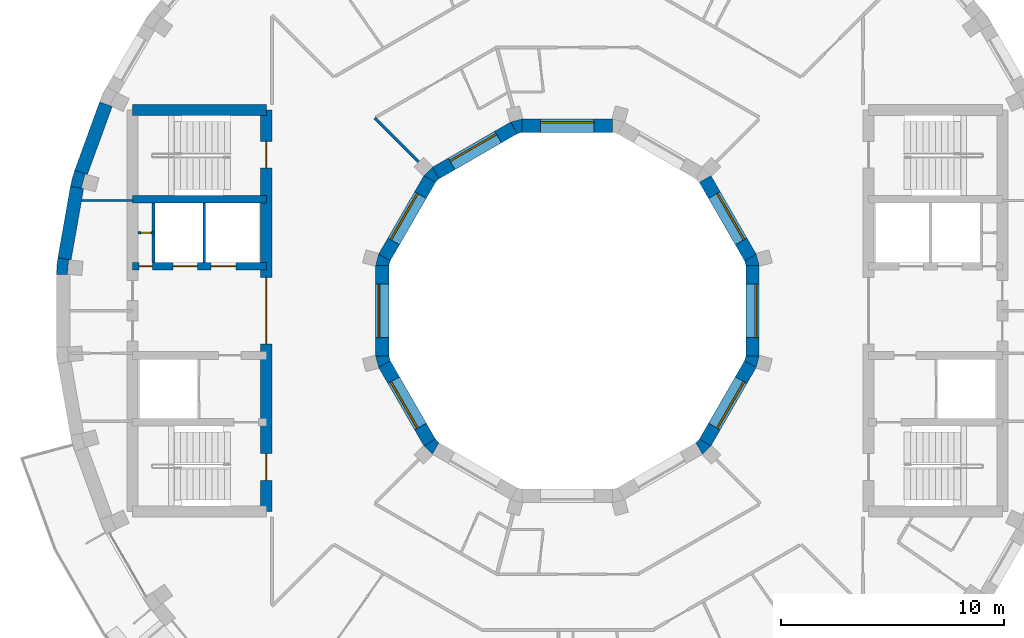
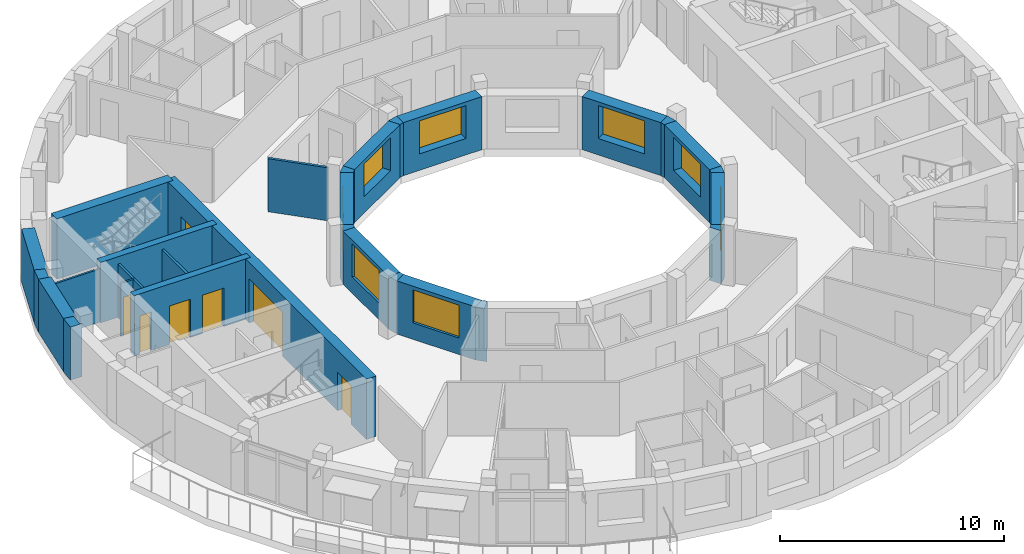
# One storey, part 6 of 12: 29 walls, 8 windows, 7 doors, 15 openings.
"""IFC4 building model written with IfcOpenShell, lengths in metres."""

from ifc_helpers import new_model, si_unit, direction, frame, frame_2d, origin, place, context, subcontext, project, spatial, polyline, rectangle, outline, extrude, material, layer, layer_set, type_object, element, fill, save


model = new_model("IFC4")

# Units and contexts
model_context = context("Model", 3, precision=1e-05, world=origin(), true_north=direction((0.0, 1.0)))
body_context = subcontext(model_context, "Body", "Model", "MODEL_VIEW")
ifc_project = project(units=[si_unit("LENGTHUNIT", "METRE"), si_unit("AREAUNIT", "SQUARE_METRE"), si_unit("VOLUMEUNIT", "CUBIC_METRE"), si_unit("PLANEANGLEUNIT", "RADIAN"), si_unit("MASSUNIT", "GRAM", prefix="KILO")], contexts=[model_context])

# Site, building, storey
site_placement = place(None, origin())
site = spatial("IfcSite", under=ifc_project, at=site_placement, CompositionType="ELEMENT")
building_placement = place(site_placement, origin())
building = spatial("IfcBuilding", under=site, at=building_placement, Name="Saqina Gate Tower", CompositionType="ELEMENT")
storey_placement = place(building_placement, frame((0.0, 0.0, 259.39990234375)))
storey = spatial("IfcBuildingStorey", under=building, at=storey_placement, Name="L74", CompositionType="ELEMENT", Elevation=259.39990234375)

# Walls
ifc_material_1 = material(Name="Brick masonry (buff)", Category="masonry")
wall_type_1 = type_object("IfcWallType", Name="BRICK PIER COPING BUFF", PredefinedType="SOLIDWALL", material=ifc_material_1)
wall_1_placement = place(storey_placement, origin())
element("IfcWall", 1, at=wall_1_placement, inside=storey, type_object=wall_type_1, Name="Pier cap L74 column 17", PredefinedType="SOLIDWALL", context=body_context, shape_type="SweptSolid", body=[
    extrude(outline(polyline([(-22.281982421875, 5.579833984375), (-21.691162109375, 5.4755859375), (-21.793212890625, 5.5029296875), (-21.625, 6.130859375), (-21.52294921875, 6.103515625), (-22.0869140625, 6.30859375), (-22.281982421875, 5.579833984375)])), origin(), (0.0, 0.0, 1.0), 2.900146484375),
])
wall_2_placement = place(storey_placement, origin())
element("IfcWall", 2, at=wall_2_placement, inside=storey, type_object=wall_type_1, Name="Pier cap L74 column 18", PredefinedType="SOLIDWALL", context=body_context, shape_type="SweptSolid", body=[
    extrude(outline(polyline([(-22.8466796875, 2.377685546875), (-22.91259765625, 1.625732421875), (-22.3125, 1.625732421875), (-22.417724609375, 1.635009765625), (-22.361083984375, 2.28271484375), (-22.255859375, 2.2734375), (-22.8466796875, 2.377685546875)])), origin(), (0.0, 0.0, 1.0), 2.900146484375),
])

# Wall, opening, door
ifc_material_2 = material(Name="Gypsum board on steel studs", Category="steel")
ifc_layer_1 = layer(ifc_material_2, 0.10009765625)
ifc_layer_set_1 = layer_set([ifc_layer_1], Name="CORE PARTITION")
wall_type_2 = type_object("IfcWallType", Name="CORE PARTITION", PredefinedType="PARTITIONING", material=ifc_layer_set_1)
wall_3_placement = place(storey_placement, frame((-18.56005859375, 3.5, 0.0), z_axis=(0.0, 0.0, 1.0), x_axis=(-1.0, 0.0, 0.0)))
wall_3 = element("IfcWall", 3, at=wall_3_placement, inside=storey, type_object=wall_type_2, Name="L74-CP-W01", PredefinedType="PARTITIONING", context=body_context, shape_type="SweptSolid", body=[
    extrude(rectangle(XDim=0.68994140625, YDim=0.10009765625, at=frame_2d((0.344970703125, 0.0))), origin(), (0.0, 0.0, 1.0), 2.900146484375),
])
opening_1_placement = place(wall_3_placement, frame((0.10009765625, 0.0, 0.0)))
opening_1 = element("IfcOpeningElement", 4, at=opening_1_placement, cuts=wall_3, Name="Opening G22-D105", PredefinedType="OPENING", context=body_context, shape_type="SweptSolid", body=[
    extrude(rectangle(XDim=0.449951171875, YDim=2.10009765625, at=frame_2d((0.22509765625, 1.050048828125))), frame((0.0, 0.06201171875, 0.0), z_axis=(0.0, -1.0, 0.0), x_axis=(1.0, 0.0, 0.0)), (0.0, 0.0, 1.0), 0.1240234375),
])
ifc_material_3 = material(Name="Steel-framed fire door leaf, EI 60", Category="steel")
door_type_1 = type_object("IfcDoorType", Name="SERVICE ROOM DOOR 450", OperationType="SINGLE_SWING_LEFT", PredefinedType="DOOR", material=ifc_material_3)
door_1_placement = place(opening_1_placement, origin())
door_1 = element("IfcDoor", 5, at=door_1_placement, inside=storey, type_object=door_type_1, Name="L74-CD-W16", OperationType="SINGLE_SWING_RIGHT", OverallHeight=2.10009765625, OverallWidth=0.449951171875, PredefinedType="DOOR", context=body_context, shape_type="SweptSolid", body=[
    extrude(rectangle(XDim=0.449951171875, YDim=2.10009765625, at=frame_2d((0.22509765625, 1.050048828125))), frame((0.0, 0.02490234375, 0.0), z_axis=(0.0, -1.0, 0.0), x_axis=(1.0, 0.0, 0.0)), (0.0, 0.0, 1.0), 0.050048828125),
])
fill(opening_1, door_1)

# Walls
wall_4_placement = place(storey_placement, frame((-19.5, 4.949951171875, 0.0), z_axis=(0.0, 0.0, 1.0), x_axis=(-1.0, 0.0, 0.0)))
element("IfcWall", 6, at=wall_4_placement, inside=storey, type_object=wall_type_2, Name="L74-CP-W02", PredefinedType="PARTITIONING", context=body_context, shape_type="SweptSolid", body=[
    extrude(rectangle(XDim=2.283935546875, YDim=0.10009765625, at=frame_2d((1.14208984375, 0.0))), origin(), (0.0, 0.0, 1.0), 2.900146484375),
])
ifc_material_4 = material(Name="Glazed ceramic tile", Category="ceramic")
ifc_layer_2 = layer(ifc_material_4, 0.60009765625)
ifc_layer_set_2 = layer_set([ifc_layer_2], Name="FW-TILE")
wall_type_3 = type_object("IfcWallType", Name="FW-TILE", PredefinedType="SOLIDWALL", material=ifc_layer_set_2)
wall_5_placement = place(storey_placement, frame((-21.986572265625, 5.52783203125, 0.0), z_axis=(0.0, 0.0, 1.0), x_axis=(-0.173656842178, -0.984806225186, 0.0)))
element("IfcWall", 7, at=wall_5_placement, inside=storey, type_object=wall_type_3, Name="Facade wall L74 facet 17", PredefinedType="SOLIDWALL", context=body_context, shape_type="SweptSolid", body=[
    extrude(rectangle(XDim=3.251708984375, YDim=0.60009765625, at=frame_2d((1.6259765625, 0.0))), origin(), (0.0, 0.0, 1.0), 2.900146484375),
])
ifc_material_5 = material(Name="Glazed ceramic tile (dark blue)", Category="ceramic")
ifc_layer_3 = layer(ifc_material_5, 0.60009765625)
ifc_layer_set_3 = layer_set([ifc_layer_3], Name="FW-TILE-CB")
wall_type_4 = type_object("IfcWallType", Name="FW-TILE-CB", PredefinedType="SOLIDWALL", material=ifc_layer_set_3)
wall_6_placement = place(storey_placement, frame((-20.692626953125, 9.26171875, 0.0), z_axis=(0.0, 0.0, 1.0), x_axis=(-0.342056509473, -0.939679383794, 0.0)))
element("IfcWall", 8, at=wall_6_placement, inside=storey, type_object=wall_type_4, Name="Facade wall L74 facet 16", PredefinedType="SOLIDWALL", context=body_context, shape_type="SweptSolid", body=[
    extrude(rectangle(XDim=3.251708984375, YDim=0.60009765625, at=frame_2d((1.6259765625, 0.0))), origin(), (0.0, 0.0, 1.0), 2.900146484375),
])

# Wall, opening, window
ifc_material_6 = material(Name="Glazed ceramic tile", Category="ceramic")
ifc_layer_4 = layer(ifc_material_6, 0.60009765625)
ifc_layer_set_4 = layer_set([ifc_layer_4], Name="IW-TILE")
wall_type_5 = type_object("IfcWallType", Name="IW-TILE", PredefinedType="SOLIDWALL", material=ifc_layer_set_4)
wall_7_placement = place(storey_placement, frame((8.20263671875, 2.392578125, 0.0), z_axis=(0.0, 0.0, 1.0), x_axis=(-0.499994954979, 0.866028316509, 0.0)))
wall_7 = element("IfcWall", 9, at=wall_7_placement, inside=storey, type_object=wall_type_5, Name="Well wall L74 facet 1", PredefinedType="SOLIDWALL", context=body_context, shape_type="SweptSolid", body=[
    extrude(rectangle(XDim=4.05859375, YDim=0.60009765625, at=frame_2d((2.029296875, 0.0))), origin(), (0.0, 0.0, 1.0), 2.900146484375),
])
opening_2_placement = place(wall_7_placement, frame((0.829345703125, 0.0, 0.89990234375)))
opening_2 = element("IfcOpeningElement", 10, at=opening_2_placement, cuts=wall_7, Name="Opening G22-W23", PredefinedType="OPENING", context=body_context, shape_type="SweptSolid", body=[
    extrude(rectangle(XDim=2.39990234375, YDim=1.800048828125, at=frame_2d((1.199951171875, 0.89990234375))), frame((0.0, 0.31201171875, 0.0), z_axis=(0.0, -1.0, 0.0), x_axis=(1.0, 0.0, 0.0)), (0.0, 0.0, 1.0), 0.6240234375),
])
ifc_material_7 = material(Name="Aluminium glazing", Category="aluminium")
window_type = type_object("IfcWindowType", Name="WN-W", PartitioningType="SINGLE_PANEL", PredefinedType="WINDOW", material=ifc_material_7)
window_1_placement = place(opening_2_placement, origin())
window_1 = element("IfcWindow", 11, at=window_1_placement, inside=storey, type_object=window_type, Name="Well window L74 facet 1", OverallHeight=1.800048828125, OverallWidth=2.39990234375, PartitioningType="SINGLE_PANEL", PredefinedType="WINDOW", context=body_context, shape_type="SweptSolid", body=[
    extrude(rectangle(XDim=2.39990234375, YDim=1.800048828125, at=frame_2d((1.199951171875, 0.89990234375))), frame((0.0, -0.119873046875, 0.0), z_axis=(0.0, -1.0, 0.0), x_axis=(1.0, 0.0, 0.0)), (0.0, 0.0, 1.0), 0.06005859375),
])
fill(opening_2, window_1)

wall_8_placement = place(storey_placement, frame((2.029296875, 8.300048828125, 0.0), z_axis=(0.0, 0.0, 1.0), x_axis=(-1.0, 0.0, 0.0)))
wall_8 = element("IfcWall", 12, at=wall_8_placement, inside=storey, type_object=wall_type_5, Name="Well wall L74 facet 3", PredefinedType="SOLIDWALL", context=body_context, shape_type="SweptSolid", body=[
    extrude(rectangle(XDim=4.05859375, YDim=0.60009765625, at=frame_2d((2.029296875, 0.0))), origin(), (0.0, 0.0, 1.0), 2.900146484375),
])
opening_3_placement = place(wall_8_placement, frame((0.829345703125, 0.0, 0.89990234375)))
opening_3 = element("IfcOpeningElement", 13, at=opening_3_placement, cuts=wall_8, Name="Opening G22-W25", PredefinedType="OPENING", context=body_context, shape_type="SweptSolid", body=[
    extrude(rectangle(XDim=2.39990234375, YDim=1.800048828125, at=frame_2d((1.199951171875, 0.89990234375))), frame((0.0, 0.31201171875, 0.0), z_axis=(0.0, -1.0, 0.0), x_axis=(1.0, 0.0, 0.0)), (0.0, 0.0, 1.0), 0.6240234375),
])
window_2_placement = place(opening_3_placement, origin())
window_2 = element("IfcWindow", 14, at=window_2_placement, inside=storey, type_object=window_type, Name="Well window L74 facet 3", OverallHeight=1.800048828125, OverallWidth=2.39990234375, PartitioningType="SINGLE_PANEL", PredefinedType="WINDOW", context=body_context, shape_type="SweptSolid", body=[
    extrude(rectangle(XDim=2.39990234375, YDim=1.800048828125, at=frame_2d((1.199951171875, 0.89990234375))), frame((0.0, -0.119873046875, 0.0), z_axis=(0.0, -1.0, 0.0), x_axis=(1.0, 0.0, 0.0)), (0.0, 0.0, 1.0), 0.06005859375),
])
fill(opening_3, window_2)

wall_9_placement = place(storey_placement, frame((-2.392578125, 8.20263671875, 0.0), z_axis=(0.0, 0.0, 1.0), x_axis=(-0.866028316509, -0.499994954979, 0.0)))
wall_9 = element("IfcWall", 15, at=wall_9_placement, inside=storey, type_object=wall_type_5, Name="Well wall L74 facet 4", PredefinedType="SOLIDWALL", context=body_context, shape_type="SweptSolid", body=[
    extrude(rectangle(XDim=4.05859375, YDim=0.60009765625, at=frame_2d((2.029296875, 0.0))), origin(), (0.0, 0.0, 1.0), 2.900146484375),
])
opening_4_placement = place(wall_9_placement, frame((0.829345703125, 0.0, 0.89990234375)))
opening_4 = element("IfcOpeningElement", 16, at=opening_4_placement, cuts=wall_9, Name="Opening G22-W26", PredefinedType="OPENING", context=body_context, shape_type="SweptSolid", body=[
    extrude(rectangle(XDim=2.39990234375, YDim=1.800048828125, at=frame_2d((1.199951171875, 0.89990234375))), frame((0.0, 0.31201171875, 0.0), z_axis=(0.0, -1.0, 0.0), x_axis=(1.0, 0.0, 0.0)), (0.0, 0.0, 1.0), 0.6240234375),
])
window_3_placement = place(opening_4_placement, origin())
window_3 = element("IfcWindow", 17, at=window_3_placement, inside=storey, type_object=window_type, Name="Well window L74 facet 4", OverallHeight=1.800048828125, OverallWidth=2.39990234375, PartitioningType="SINGLE_PANEL", PredefinedType="WINDOW", context=body_context, shape_type="SweptSolid", body=[
    extrude(rectangle(XDim=2.39990234375, YDim=1.800048828125, at=frame_2d((1.199951171875, 0.89990234375))), frame((0.0, -0.119873046875, 0.0), z_axis=(0.0, -1.0, 0.0), x_axis=(1.0, 0.0, 0.0)), (0.0, 0.0, 1.0), 0.06005859375),
])
fill(opening_4, window_3)

wall_10_placement = place(storey_placement, frame((-6.17333984375, 5.907470703125, 0.0), z_axis=(0.0, 0.0, 1.0), x_axis=(-0.499994954979, -0.866028316509, 0.0)))
wall_10 = element("IfcWall", 18, at=wall_10_placement, inside=storey, type_object=wall_type_5, Name="Well wall L74 facet 5", PredefinedType="SOLIDWALL", context=body_context, shape_type="SweptSolid", body=[
    extrude(rectangle(XDim=4.05859375, YDim=0.60009765625, at=frame_2d((2.029296875, 0.0))), origin(), (0.0, 0.0, 1.0), 2.900146484375),
])
opening_5_placement = place(wall_10_placement, frame((0.829345703125, 0.0, 0.89990234375)))
opening_5 = element("IfcOpeningElement", 19, at=opening_5_placement, cuts=wall_10, Name="Opening G22-W27", PredefinedType="OPENING", context=body_context, shape_type="SweptSolid", body=[
    extrude(rectangle(XDim=2.39990234375, YDim=1.800048828125, at=frame_2d((1.199951171875, 0.89990234375))), frame((0.0, 0.31201171875, 0.0), z_axis=(0.0, -1.0, 0.0), x_axis=(1.0, 0.0, 0.0)), (0.0, 0.0, 1.0), 0.6240234375),
])
window_4_placement = place(opening_5_placement, origin())
window_4 = element("IfcWindow", 20, at=window_4_placement, inside=storey, type_object=window_type, Name="Well window L74 facet 5", OverallHeight=1.800048828125, OverallWidth=2.39990234375, PartitioningType="SINGLE_PANEL", PredefinedType="WINDOW", context=body_context, shape_type="SweptSolid", body=[
    extrude(rectangle(XDim=2.39990234375, YDim=1.800048828125, at=frame_2d((1.199951171875, 0.89990234375))), frame((0.0, -0.119873046875, 0.0), z_axis=(0.0, -1.0, 0.0), x_axis=(1.0, 0.0, 0.0)), (0.0, 0.0, 1.0), 0.06005859375),
])
fill(opening_5, window_4)

wall_11_placement = place(storey_placement, frame((-8.300048828125, 2.029296875, 0.0), z_axis=(0.0, 0.0, 1.0), x_axis=(0.0, -1.0, 0.0)))
wall_11 = element("IfcWall", 21, at=wall_11_placement, inside=storey, type_object=wall_type_5, Name="Well wall L74 facet 6", PredefinedType="SOLIDWALL", context=body_context, shape_type="SweptSolid", body=[
    extrude(rectangle(XDim=4.05859375, YDim=0.60009765625, at=frame_2d((2.029296875, 0.0))), origin(), (0.0, 0.0, 1.0), 2.900146484375),
])
opening_6_placement = place(wall_11_placement, frame((0.829345703125, 0.0, 0.89990234375)))
opening_6 = element("IfcOpeningElement", 22, at=opening_6_placement, cuts=wall_11, Name="Opening G22-W28", PredefinedType="OPENING", context=body_context, shape_type="SweptSolid", body=[
    extrude(rectangle(XDim=2.39990234375, YDim=1.800048828125, at=frame_2d((1.199951171875, 0.89990234375))), frame((0.0, 0.31201171875, 0.0), z_axis=(0.0, -1.0, 0.0), x_axis=(1.0, 0.0, 0.0)), (0.0, 0.0, 1.0), 0.6240234375),
])
window_5_placement = place(opening_6_placement, origin())
window_5 = element("IfcWindow", 23, at=window_5_placement, inside=storey, type_object=window_type, Name="Well window L74 facet 6", OverallHeight=1.800048828125, OverallWidth=2.39990234375, PartitioningType="SINGLE_PANEL", PredefinedType="WINDOW", context=body_context, shape_type="SweptSolid", body=[
    extrude(rectangle(XDim=2.39990234375, YDim=1.800048828125, at=frame_2d((1.199951171875, 0.89990234375))), frame((0.0, -0.119873046875, 0.0), z_axis=(0.0, -1.0, 0.0), x_axis=(1.0, 0.0, 0.0)), (0.0, 0.0, 1.0), 0.06005859375),
])
fill(opening_6, window_5)

wall_12_placement = place(storey_placement, frame((-8.20263671875, -2.392578125, 0.0), z_axis=(0.0, 0.0, 1.0), x_axis=(0.499994954979, -0.866028316509, 0.0)))
wall_12 = element("IfcWall", 24, at=wall_12_placement, inside=storey, type_object=wall_type_5, Name="Well wall L74 facet 7", PredefinedType="SOLIDWALL", context=body_context, shape_type="SweptSolid", body=[
    extrude(rectangle(XDim=4.05859375, YDim=0.60009765625, at=frame_2d((2.029296875, 0.0))), origin(), (0.0, 0.0, 1.0), 2.900146484375),
])
opening_7_placement = place(wall_12_placement, frame((0.829345703125, 0.0, 0.89990234375)))
opening_7 = element("IfcOpeningElement", 25, at=opening_7_placement, cuts=wall_12, Name="Opening G22-W29", PredefinedType="OPENING", context=body_context, shape_type="SweptSolid", body=[
    extrude(rectangle(XDim=2.39990234375, YDim=1.800048828125, at=frame_2d((1.199951171875, 0.89990234375))), frame((0.0, 0.31201171875, 0.0), z_axis=(0.0, -1.0, 0.0), x_axis=(1.0, 0.0, 0.0)), (0.0, 0.0, 1.0), 0.6240234375),
])
window_6_placement = place(opening_7_placement, origin())
window_6 = element("IfcWindow", 26, at=window_6_placement, inside=storey, type_object=window_type, Name="Well window L74 facet 7", OverallHeight=1.800048828125, OverallWidth=2.39990234375, PartitioningType="SINGLE_PANEL", PredefinedType="WINDOW", context=body_context, shape_type="SweptSolid", body=[
    extrude(rectangle(XDim=2.39990234375, YDim=1.800048828125, at=frame_2d((1.199951171875, 0.89990234375))), frame((0.0, -0.119873046875, 0.0), z_axis=(0.0, -1.0, 0.0), x_axis=(1.0, 0.0, 0.0)), (0.0, 0.0, 1.0), 0.06005859375),
])
fill(opening_7, window_6)

wall_13_placement = place(storey_placement, frame((6.17333984375, -5.907470703125, 0.0), z_axis=(0.0, 0.0, 1.0), x_axis=(0.499994954979, 0.866028316509, 0.0)))
wall_13 = element("IfcWall", 27, at=wall_13_placement, inside=storey, type_object=wall_type_5, Name="Well wall L74 facet 11", PredefinedType="SOLIDWALL", context=body_context, shape_type="SweptSolid", body=[
    extrude(rectangle(XDim=4.05859375, YDim=0.60009765625, at=frame_2d((2.029296875, 0.0))), origin(), (0.0, 0.0, 1.0), 2.900146484375),
])
opening_8_placement = place(wall_13_placement, frame((0.829345703125, 0.0, 0.89990234375)))
opening_8 = element("IfcOpeningElement", 28, at=opening_8_placement, cuts=wall_13, Name="Opening G22-W33", PredefinedType="OPENING", context=body_context, shape_type="SweptSolid", body=[
    extrude(rectangle(XDim=2.39990234375, YDim=1.800048828125, at=frame_2d((1.199951171875, 0.89990234375))), frame((0.0, 0.31201171875, 0.0), z_axis=(0.0, -1.0, 0.0), x_axis=(1.0, 0.0, 0.0)), (0.0, 0.0, 1.0), 0.6240234375),
])
window_7_placement = place(opening_8_placement, origin())
window_7 = element("IfcWindow", 29, at=window_7_placement, inside=storey, type_object=window_type, Name="Well window L74 facet 11", OverallHeight=1.800048828125, OverallWidth=2.39990234375, PartitioningType="SINGLE_PANEL", PredefinedType="WINDOW", context=body_context, shape_type="SweptSolid", body=[
    extrude(rectangle(XDim=2.39990234375, YDim=1.800048828125, at=frame_2d((1.199951171875, 0.89990234375))), frame((0.0, -0.119873046875, 0.0), z_axis=(0.0, -1.0, 0.0), x_axis=(1.0, 0.0, 0.0)), (0.0, 0.0, 1.0), 0.06005859375),
])
fill(opening_8, window_7)

wall_14_placement = place(storey_placement, frame((8.300048828125, -2.029296875, 0.0), z_axis=(0.0, 0.0, 1.0), x_axis=(0.0, 1.0, 0.0)))
wall_14 = element("IfcWall", 30, at=wall_14_placement, inside=storey, type_object=wall_type_5, Name="Well wall L74 facet 12", PredefinedType="SOLIDWALL", context=body_context, shape_type="SweptSolid", body=[
    extrude(rectangle(XDim=4.05859375, YDim=0.60009765625, at=frame_2d((2.029296875, 0.0))), origin(), (0.0, 0.0, 1.0), 2.900146484375),
])
opening_9_placement = place(wall_14_placement, frame((0.829345703125, 0.0, 0.89990234375)))
opening_9 = element("IfcOpeningElement", 31, at=opening_9_placement, cuts=wall_14, Name="Opening G22-W34", PredefinedType="OPENING", context=body_context, shape_type="SweptSolid", body=[
    extrude(rectangle(XDim=2.39990234375, YDim=1.800048828125, at=frame_2d((1.199951171875, 0.89990234375))), frame((0.0, 0.31201171875, 0.0), z_axis=(0.0, -1.0, 0.0), x_axis=(1.0, 0.0, 0.0)), (0.0, 0.0, 1.0), 0.6240234375),
])
window_8_placement = place(opening_9_placement, origin())
window_8 = element("IfcWindow", 32, at=window_8_placement, inside=storey, type_object=window_type, Name="Well window L74 facet 12", OverallHeight=1.800048828125, OverallWidth=2.39990234375, PartitioningType="SINGLE_PANEL", PredefinedType="WINDOW", context=body_context, shape_type="SweptSolid", body=[
    extrude(rectangle(XDim=2.39990234375, YDim=1.800048828125, at=frame_2d((1.199951171875, 0.89990234375))), frame((0.0, -0.119873046875, 0.0), z_axis=(0.0, -1.0, 0.0), x_axis=(1.0, 0.0, 0.0)), (0.0, 0.0, 1.0), 0.06005859375),
])
fill(opening_9, window_8)

# Walls
ifc_material_8 = material(Name="Gypsum board on steel studs, 125 mm, fire rated", Category="steel")
ifc_layer_5 = layer(ifc_material_8, 0.125)
ifc_layer_set_5 = layer_set([ifc_layer_5], Name="PARTITION EI 30 125")
wall_type_6 = type_object("IfcWallType", Name="PARTITION EI 30 125", PredefinedType="PARTITIONING", material=ifc_layer_set_5)
wall_15_placement = place(storey_placement, frame((-8.64599609375, 8.64599609375, 0.0), z_axis=(0.0, 0.0, 1.0), x_axis=(0.707106781187, -0.707106781187, 0.0)))
element("IfcWall", 33, at=wall_15_placement, inside=storey, type_object=wall_type_6, Name="PARTITION PW1-05", PredefinedType="PARTITIONING", context=body_context, shape_type="SweptSolid", body=[
    extrude(rectangle(XDim=2.784912109375, YDim=0.125, at=frame_2d((1.392578125, 0.0))), origin(), (0.0, 0.0, 1.0), 2.900146484375),
])
ifc_material_9 = material(Name="Autoclaved aerated concrete block", Category="concrete")
ifc_layer_6 = layer(ifc_material_9, 0.1201171875)
ifc_layer_set_6 = layer_set([ifc_layer_6], Name="SHAFT PARTITION")
wall_type_7 = type_object("IfcWallType", Name="SHAFT PARTITION", PredefinedType="PARTITIONING", material=ifc_layer_set_6)
for number, where, z_axis, x_axis, name in (
    (34, (-16.280029296875, 2.175048828125, 0.0), (0.0, 0.0, 1.0), (0.0, 1.0, 0.0), "L74-CP-W06"),
    (35, (-18.56005859375, 2.175048828125, 0.0), (0.0, 0.0, 1.0), (0.0, 1.0, 0.0), "L74-CP-W07"),
):
    element("IfcWall", number, at=place(storey_placement, frame(where, z_axis=z_axis, x_axis=x_axis)), inside=storey, type_object=wall_type_7, Name=name, PredefinedType="PARTITIONING", context=body_context, shape_type="SweptSolid", body=[
        extrude(rectangle(XDim=2.64990234375, YDim=0.1201171875, at=frame_2d((1.324951171875, 0.0))), origin(), (0.0, 0.0, 1.0), 2.900146484375),
    ])
ifc_material_10 = material(Name="Concrete C60/75", Category="concrete")
ifc_layer_7 = layer(ifc_material_10, 0.35009765625)
ifc_layer_set_7 = layer_set([ifc_layer_7], Name="Concrete C60/75")
wall_type_8 = type_object("IfcWallType", Name="STR-CORE WALL-D-I", PredefinedType="SHEAR", material=ifc_layer_set_7)
wall_16_placement = place(storey_placement, frame((-13.5, 5.0, 0.0), z_axis=(0.0, 0.0, 1.0), x_axis=(-1.0, 0.0, 0.0)))
element("IfcWall", 36, at=wall_16_placement, inside=storey, type_object=wall_type_8, Name="CORE WALL L74 W-X1", PredefinedType="SHEAR", context=body_context, shape_type="SweptSolid", body=[
    extrude(rectangle(XDim=6.0, YDim=0.35009765625, at=frame_2d((3.0, 0.0))), origin(), (0.0, 0.0, 1.0), 3.300048828125),
])

# Wall, openings, doors
wall_17_placement = place(storey_placement, frame((-13.5, 2.0, 0.0), z_axis=(0.0, 0.0, 1.0), x_axis=(-1.0, 0.0, 0.0)))
wall_17 = element("IfcWall", 37, at=wall_17_placement, inside=storey, type_object=wall_type_8, Name="CORE WALL L74 W-L1", PredefinedType="SHEAR", context=body_context, shape_type="SweptSolid", body=[
    extrude(rectangle(XDim=6.0, YDim=0.35009765625, at=frame_2d((3.0, 0.0))), origin(), (0.0, 0.0, 1.0), 3.300048828125),
])
opening_10_placement = place(wall_17_placement, frame((1.3701171875, 0.0, 0.0)))
opening_10 = element("IfcOpeningElement", 38, at=opening_10_placement, cuts=wall_17, Name="Opening G22-LD4", PredefinedType="OPENING", context=body_context, shape_type="SweptSolid", body=[
    extrude(rectangle(XDim=1.10009765625, YDim=2.10009765625, at=frame_2d((0.550048828125, 1.050048828125))), frame((0.0, 0.18701171875, 0.0), z_axis=(0.0, -1.0, 0.0), x_axis=(1.0, 0.0, 0.0)), (0.0, 0.0, 1.0), 0.3740234375),
])
opening_11_placement = place(wall_17_placement, frame((3.090087890625, 0.0, 0.0)))
opening_11 = element("IfcOpeningElement", 39, at=opening_11_placement, cuts=wall_17, Name="Opening G22-LD5", PredefinedType="OPENING", context=body_context, shape_type="SweptSolid", body=[
    extrude(rectangle(XDim=1.10009765625, YDim=2.10009765625, at=frame_2d((0.550048828125, 1.050048828125))), frame((0.0, 0.18701171875, 0.0), z_axis=(0.0, -1.0, 0.0), x_axis=(1.0, 0.0, 0.0)), (0.0, 0.0, 1.0), 0.3740234375),
])
opening_12_placement = place(wall_17_placement, frame((5.10498046875, 0.0, 0.0)))
opening_12 = element("IfcOpeningElement", 40, at=opening_12_placement, cuts=wall_17, Name="Opening G22-D100", PredefinedType="OPENING", context=body_context, shape_type="SweptSolid", body=[
    extrude(rectangle(XDim=0.60009765625, YDim=2.10009765625, at=frame_2d((0.300048828125, 1.050048828125))), frame((0.0, 0.18701171875, 0.0), z_axis=(0.0, -1.0, 0.0), x_axis=(1.0, 0.0, 0.0)), (0.0, 0.0, 1.0), 0.3740234375),
])
ifc_material_11 = material(Name="Stainless steel", Category="steel")
door_type_2 = type_object("IfcDoorType", Name="LANDING DOOR", OperationType="DOUBLE_DOOR_SLIDING", PredefinedType="DOOR", material=ifc_material_11)
door_2_placement = place(opening_10_placement, origin())
door_2 = element("IfcDoor", 41, at=door_2_placement, inside=storey, type_object=door_type_2, Name="LANDING DOOR HR3", OperationType="DOUBLE_DOOR_SLIDING", OverallHeight=2.10009765625, OverallWidth=1.10009765625, PredefinedType="DOOR", context=body_context, shape_type="SweptSolid", body=[
    extrude(rectangle(XDim=1.10009765625, YDim=2.10009765625, at=frame_2d((0.550048828125, 1.050048828125))), frame((0.0, 0.02490234375, 0.0), z_axis=(0.0, -1.0, 0.0), x_axis=(1.0, 0.0, 0.0)), (0.0, 0.0, 1.0), 0.050048828125),
])
fill(opening_10, door_2)
door_3_placement = place(opening_11_placement, origin())
door_3 = element("IfcDoor", 42, at=door_3_placement, inside=storey, type_object=door_type_2, Name="LANDING DOOR HR4", OperationType="DOUBLE_DOOR_SLIDING", OverallHeight=2.10009765625, OverallWidth=1.10009765625, PredefinedType="DOOR", context=body_context, shape_type="SweptSolid", body=[
    extrude(rectangle(XDim=1.10009765625, YDim=2.10009765625, at=frame_2d((0.550048828125, 1.050048828125))), frame((0.0, 0.02490234375, 0.0), z_axis=(0.0, -1.0, 0.0), x_axis=(1.0, 0.0, 0.0)), (0.0, 0.0, 1.0), 0.050048828125),
])
fill(opening_11, door_3)
ifc_material_12 = material(Name="Steel-framed fire door leaf, EI 60", Category="steel")
door_type_3 = type_object("IfcDoorType", Name="SERVICE ROOM DOOR 600", OperationType="SINGLE_SWING_LEFT", PredefinedType="DOOR", material=ifc_material_12)
door_4_placement = place(opening_12_placement, frame((0.60009765625, 0.0, 0.0), z_axis=(0.0, 0.0, 1.0), x_axis=(-1.0, 0.0, 0.0)))
door_4 = element("IfcDoor", 43, at=door_4_placement, inside=storey, type_object=door_type_3, Name="L74-CD-W11", OperationType="SINGLE_SWING_LEFT", OverallHeight=2.10009765625, OverallWidth=0.60009765625, PredefinedType="DOOR", context=body_context, shape_type="SweptSolid", body=[
    extrude(rectangle(XDim=0.60009765625, YDim=2.10009765625, at=frame_2d((0.300048828125, 1.050048828125))), frame((0.0, 0.02490234375, 0.0), z_axis=(0.0, -1.0, 0.0), x_axis=(1.0, 0.0, 0.0)), (0.0, 0.0, 1.0), 0.050048828125),
])
fill(opening_12, door_4)

ifc_material_13 = material(Name="Concrete C60/75", Category="concrete")
ifc_layer_8 = layer(ifc_material_13, 0.5)
ifc_layer_set_8 = layer_set([ifc_layer_8], Name="Concrete C60/75")
wall_type_9 = type_object("IfcWallType", Name="STR-CORE WALL-D-O", PredefinedType="SHEAR", material=ifc_layer_set_8)
wall_18_placement = place(storey_placement, frame((-13.5, -9.0, 0.0), z_axis=(0.0, 0.0, 1.0), x_axis=(0.0, 1.0, 0.0)))
wall_18 = element("IfcWall", 44, at=wall_18_placement, inside=storey, type_object=wall_type_9, Name="CORE WALL L74 W-W1", PredefinedType="SHEAR", context=body_context, shape_type="SweptSolid", body=[
    extrude(rectangle(XDim=18.0, YDim=0.5, at=frame_2d((9.0, 0.0))), origin(), (0.0, 0.0, 1.0), 3.300048828125),
])
opening_13_placement = place(wall_18_placement, frame((15.39990234375, 0.0, 0.0)))
opening_13 = element("IfcOpeningElement", 45, at=opening_13_placement, cuts=wall_18, Name="Opening G22-D107", PredefinedType="OPENING", context=body_context, shape_type="SweptSolid", body=[
    extrude(rectangle(XDim=1.199951171875, YDim=2.10009765625, at=frame_2d((0.60009765625, 1.050048828125))), frame((0.0, 0.261962890625, 0.0), z_axis=(0.0, -1.0, 0.0), x_axis=(1.0, 0.0, 0.0)), (0.0, 0.0, 1.0), 0.52392578125),
])
opening_14_placement = place(wall_18_placement, frame((1.39990234375, 0.0, 0.0)))
opening_14 = element("IfcOpeningElement", 46, at=opening_14_placement, cuts=wall_18, Name="Opening G22-D108", PredefinedType="OPENING", context=body_context, shape_type="SweptSolid", body=[
    extrude(rectangle(XDim=1.199951171875, YDim=2.10009765625, at=frame_2d((0.60009765625, 1.050048828125))), frame((0.0, 0.261962890625, 0.0), z_axis=(0.0, -1.0, 0.0), x_axis=(1.0, 0.0, 0.0)), (0.0, 0.0, 1.0), 0.52392578125),
])
opening_15_placement = place(wall_18_placement, frame((7.5, 0.0, 0.0)))
opening_15 = element("IfcOpeningElement", 47, at=opening_15_placement, cuts=wall_18, Name="Opening G22-D109", PredefinedType="OPENING", context=body_context, shape_type="SweptSolid", body=[
    extrude(rectangle(XDim=3.0, YDim=2.39990234375, at=frame_2d((1.5, 1.199951171875))), frame((0.0, 0.261962890625, 0.0), z_axis=(0.0, -1.0, 0.0), x_axis=(1.0, 0.0, 0.0)), (0.0, 0.0, 1.0), 0.52392578125),
])
ifc_material_14 = material(Name="Steel", Category="steel")
door_type_4 = type_object("IfcDoorType", Name="FIRE DOOR EI 60", OperationType="SINGLE_SWING_LEFT", PredefinedType="DOOR", material=ifc_material_14)
door_5_placement = place(opening_13_placement, origin())
door_5 = element("IfcDoor", 48, at=door_5_placement, inside=storey, type_object=door_type_4, Name="L74-CD-W18", OperationType="SINGLE_SWING_RIGHT", OverallHeight=2.10009765625, OverallWidth=1.199951171875, PredefinedType="DOOR", context=body_context, shape_type="SweptSolid", body=[
    extrude(rectangle(XDim=1.199951171875, YDim=2.10009765625, at=frame_2d((0.60009765625, 1.050048828125))), frame((0.0, 0.02490234375, 0.0), z_axis=(0.0, -1.0, 0.0), x_axis=(1.0, 0.0, 0.0)), (0.0, 0.0, 1.0), 0.050048828125),
])
fill(opening_13, door_5)
door_6_placement = place(opening_14_placement, origin())
door_6 = element("IfcDoor", 49, at=door_6_placement, inside=storey, type_object=door_type_4, Name="L74-CD-W19", OperationType="SINGLE_SWING_LEFT", OverallHeight=2.10009765625, OverallWidth=1.199951171875, PredefinedType="DOOR", context=body_context, shape_type="SweptSolid", body=[
    extrude(rectangle(XDim=1.199951171875, YDim=2.10009765625, at=frame_2d((0.60009765625, 1.050048828125))), frame((0.0, 0.02490234375, 0.0), z_axis=(0.0, -1.0, 0.0), x_axis=(1.0, 0.0, 0.0)), (0.0, 0.0, 1.0), 0.050048828125),
])
fill(opening_14, door_6)
ifc_material_15 = material(Name="Steel and fire-resisting glass", Category="steel")
door_type_5 = type_object("IfcDoorType", Name="LOBBY SCREEN DOOR", OperationType="DOUBLE_DOOR_SLIDING", PredefinedType="DOOR", material=ifc_material_15)
door_7_placement = place(opening_15_placement, origin())
door_7 = element("IfcDoor", 50, at=door_7_placement, inside=storey, type_object=door_type_5, Name="L74-CD-W20", OperationType="DOUBLE_DOOR_SLIDING", OverallHeight=2.39990234375, OverallWidth=3.0, PredefinedType="DOOR", context=body_context, shape_type="SweptSolid", body=[
    extrude(rectangle(XDim=3.0, YDim=2.39990234375, at=frame_2d((1.5, 1.199951171875))), frame((0.0, 0.02490234375, 0.0), z_axis=(0.0, -1.0, 0.0), x_axis=(1.0, 0.0, 0.0)), (0.0, 0.0, 1.0), 0.050048828125),
])
fill(opening_15, door_7)

# Walls
wall_19_placement = place(storey_placement, frame((-13.5, 9.0, 0.0), z_axis=(0.0, 0.0, 1.0), x_axis=(-1.0, 0.0, 0.0)))
element("IfcWall", 51, at=wall_19_placement, inside=storey, type_object=wall_type_9, Name="CORE WALL L74 W-NE", PredefinedType="SHEAR", context=body_context, shape_type="SweptSolid", body=[
    extrude(rectangle(XDim=6.0, YDim=0.5, at=frame_2d((3.0, 0.0))), origin(), (0.0, 0.0, 1.0), 3.300048828125),
])
ifc_material_16 = material(Name="Glazed ceramic tile", Category="ceramic")
wall_type_10 = type_object("IfcWallType", Name="TILE PIER COPING", PredefinedType="SOLIDWALL", material=ifc_material_16)
wall_20_placement = place(storey_placement, origin())
element("IfcWall", 52, at=wall_20_placement, inside=storey, type_object=wall_type_10, Name="Well pier cap L74 column 1", PredefinedType="SOLIDWALL", context=body_context, shape_type="SweptSolid", body=[
    extrude(outline(polyline([(8.46240234375, 2.54248046875), (7.94287109375, 2.242431640625), (8.0, 2.029296875), (8.60009765625, 2.029296875), (8.46240234375, 2.54248046875)])), origin(), (0.0, 0.0, 1.0), 2.900146484375),
])
wall_21_placement = place(storey_placement, origin())
element("IfcWall", 53, at=wall_21_placement, inside=storey, type_object=wall_type_10, Name="Well pier cap L74 column 4", PredefinedType="SOLIDWALL", context=body_context, shape_type="SweptSolid", body=[
    extrude(outline(polyline([(-2.54248046875, 8.46240234375), (-2.242431640625, 7.94287109375), (-2.029296875, 8.0), (-2.029296875, 8.60009765625), (-2.54248046875, 8.46240234375)])), origin(), (0.0, 0.0, 1.0), 2.900146484375),
])
wall_22_placement = place(storey_placement, origin())
element("IfcWall", 54, at=wall_22_placement, inside=storey, type_object=wall_type_10, Name="Well pier cap L74 column 5", PredefinedType="SOLIDWALL", context=body_context, shape_type="SweptSolid", body=[
    extrude(outline(polyline([(-6.43310546875, 6.0576171875), (-5.91357421875, 5.757568359375), (-5.757568359375, 5.91357421875), (-6.0576171875, 6.43310546875), (-6.43310546875, 6.0576171875)])), origin(), (0.0, 0.0, 1.0), 2.900146484375),
])
wall_23_placement = place(storey_placement, origin())
element("IfcWall", 55, at=wall_23_placement, inside=storey, type_object=wall_type_10, Name="Well pier cap L74 column 6", PredefinedType="SOLIDWALL", context=body_context, shape_type="SweptSolid", body=[
    extrude(outline(polyline([(-8.60009765625, 2.029296875), (-8.0, 2.029296875), (-7.94287109375, 2.242431640625), (-8.46240234375, 2.54248046875), (-8.60009765625, 2.029296875)])), origin(), (0.0, 0.0, 1.0), 2.900146484375),
])
wall_24_placement = place(storey_placement, origin())
element("IfcWall", 56, at=wall_24_placement, inside=storey, type_object=wall_type_10, Name="Well pier cap L74 column 7", PredefinedType="SOLIDWALL", context=body_context, shape_type="SweptSolid", body=[
    extrude(outline(polyline([(-8.46240234375, -2.54248046875), (-7.94287109375, -2.242431640625), (-8.0, -2.029296875), (-8.60009765625, -2.029296875), (-8.46240234375, -2.54248046875)])), origin(), (0.0, 0.0, 1.0), 2.900146484375),
])
wall_25_placement = place(storey_placement, origin())
element("IfcWall", 57, at=wall_25_placement, inside=storey, type_object=wall_type_10, Name="Well pier cap L74 column 8", PredefinedType="SOLIDWALL", context=body_context, shape_type="SweptSolid", body=[
    extrude(outline(polyline([(-6.0576171875, -6.43310546875), (-5.757568359375, -5.91357421875), (-5.91357421875, -5.757568359375), (-6.43310546875, -6.0576171875), (-6.0576171875, -6.43310546875)])), origin(), (0.0, 0.0, 1.0), 2.900146484375),
])
wall_26_placement = place(storey_placement, origin())
element("IfcWall", 58, at=wall_26_placement, inside=storey, type_object=wall_type_10, Name="Well pier cap L74 column 11", PredefinedType="SOLIDWALL", context=body_context, shape_type="SweptSolid", body=[
    extrude(outline(polyline([(6.43310546875, -6.0576171875), (5.91357421875, -5.757568359375), (5.757568359375, -5.91357421875), (6.0576171875, -6.43310546875), (6.43310546875, -6.0576171875)])), origin(), (0.0, 0.0, 1.0), 2.900146484375),
])
wall_27_placement = place(storey_placement, origin())
element("IfcWall", 59, at=wall_27_placement, inside=storey, type_object=wall_type_10, Name="Well pier cap L74 column 12", PredefinedType="SOLIDWALL", context=body_context, shape_type="SweptSolid", body=[
    extrude(outline(polyline([(8.60009765625, -2.029296875), (8.0, -2.029296875), (7.94287109375, -2.242431640625), (8.46240234375, -2.54248046875), (8.60009765625, -2.029296875)])), origin(), (0.0, 0.0, 1.0), 2.900146484375),
])

save(model, "model.ifc")
